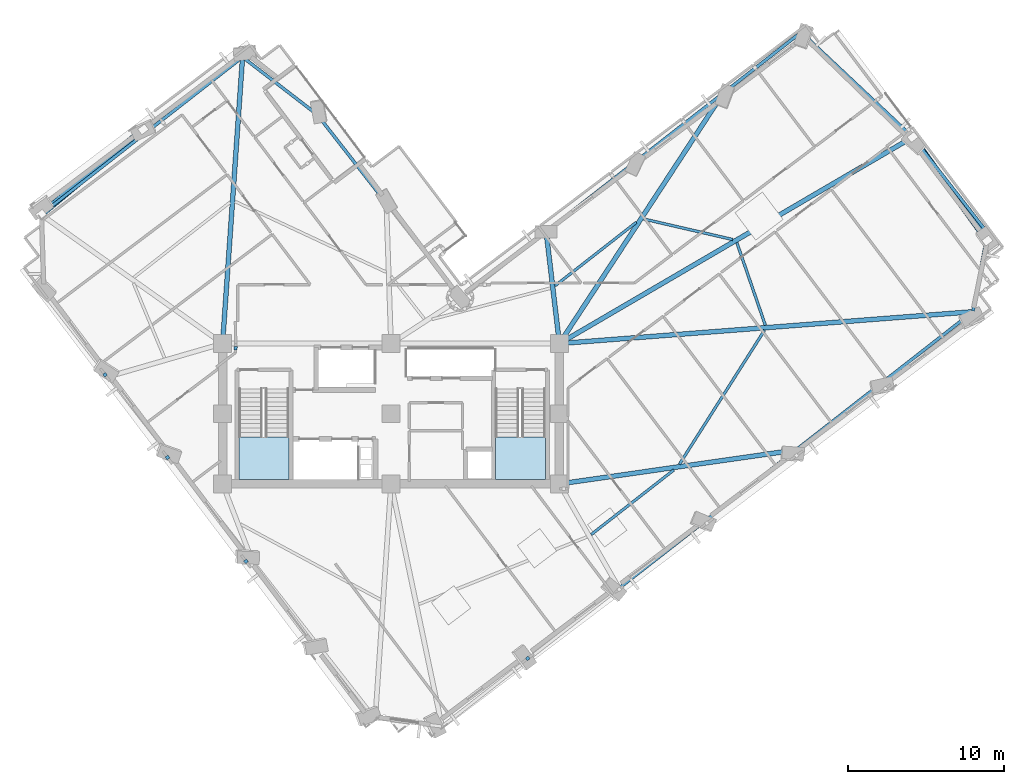
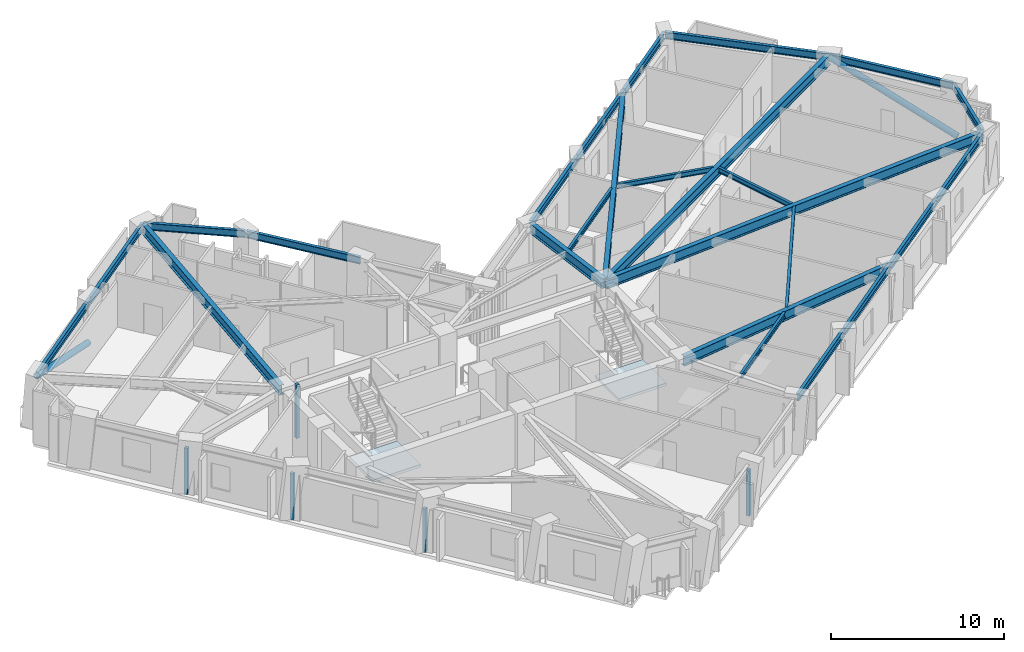
# One storey, part 2 of 15: 25 beams, 5 plates, 2 members, 2 slabs, 2 elements without a shape of their own.
"""IFC4 building model written with IfcOpenShell, lengths in metres."""

from ifc_helpers import new_model, si_unit, direction, frame, origin, origin_2d, place, context, subcontext, project, spatial, polyline, rectangle, hollow_circle, i_section, outline, extrude, material, layer, layer_set, material_profile, profile_set, type_object, element, aggregate, save


model = new_model("IFC4")

# Units and contexts
model_context = context("Model", 3, precision=1e-05, world=origin(), true_north=direction((0.0, 1.0)))
body_context = subcontext(model_context, "Body", "Model", "MODEL_VIEW")
ifc_project = project(units=[si_unit("LENGTHUNIT", "METRE"), si_unit("AREAUNIT", "SQUARE_METRE"), si_unit("VOLUMEUNIT", "CUBIC_METRE"), si_unit("PLANEANGLEUNIT", "RADIAN"), si_unit("MASSUNIT", "GRAM", prefix="KILO")], contexts=[model_context])

# Site, building, storey
site_placement = place(None, origin())
site = spatial("IfcSite", under=ifc_project, at=site_placement, CompositionType="ELEMENT")
building_placement = place(site_placement, origin())
building = spatial("IfcBuilding", under=site, at=building_placement, Name="Gaonmaruhae Medical Tower", CompositionType="ELEMENT")
storey_placement = place(building_placement, frame((0.0, 0.0, 181.800048828125)))
storey = spatial("IfcBuildingStorey", under=building, at=storey_placement, Name="L43", CompositionType="ELEMENT", Elevation=181.800048828125)

# Beams
ifc_material_1 = material(Name="Steel SM355", Category="steel")
ifc_material_profile_1 = material_profile(ifc_material_1, i_section(OverallWidth=0.175048828125, OverallDepth=0.35009765625, WebThickness=0.007080078125, FlangeThickness=0.010986328125, FilletRadius=0.012939453125, at=origin_2d()), Name="H-350x175x7x11")
ifc_profile_set_1 = profile_set([ifc_material_profile_1], Name="Steel SM355")
beam_type_1 = type_object("IfcBeamType", Name="FJ-02 Upper Zone Ward Floor Joist (H-350x175x7x11)", PredefinedType="JOIST", material=ifc_profile_set_1)
beam_1_placement = place(storey_placement, frame((37.63330078125, 4.552001953125, 3.60498046875), z_axis=(0.788003489376, 0.615670773004, 0.0), x_axis=(-0.615670773004, 0.788003489376, 0.0)))
element("IfcBeam", 1, at=beam_1_placement, inside=storey, type_object=beam_type_1, Name="L43 Secondary Floor Joist FJ02", PredefinedType="JOIST", context=body_context, shape_type="SweptSolid", body=[
    extrude(i_section(OverallWidth=0.175048828125, OverallDepth=0.35009765625, WebThickness=0.007080078125, FlangeThickness=0.010986328125, FilletRadius=0.012939453125, at=origin_2d()), origin(), (0.0, 0.0, 1.0), 6.73486328125),
])
beam_2_placement = place(storey_placement, frame((43.2919921875, 9.0595703125, 3.60498046875), z_axis=(0.536155640009, 0.844119144248, 0.0), x_axis=(-0.844119144248, 0.536155640009, 0.0)))
element("IfcBeam", 2, at=beam_2_placement, inside=storey, type_object=beam_type_1, Name="L43 Secondary Floor Joist FJ03", PredefinedType="JOIST", context=body_context, shape_type="SweptSolid", body=[
    extrude(i_section(OverallWidth=0.175048828125, OverallDepth=0.35009765625, WebThickness=0.007080078125, FlangeThickness=0.010986328125, FilletRadius=0.012939453125, at=origin_2d()), origin(), (0.0, 0.0, 1.0), 10.185302734375),
])
beam_3_placement = place(storey_placement, frame((48.803955078125, 17.972900390625, 3.60498046875), z_axis=(-0.326056499466, 0.94535028384, 0.0), x_axis=(-0.94535028384, -0.326056499466, 0.0)))
element("IfcBeam", 3, at=beam_3_placement, inside=storey, type_object=beam_type_1, Name="L43 Secondary Floor Joist FJ04", PredefinedType="JOIST", context=body_context, shape_type="SweptSolid", body=[
    extrude(i_section(OverallWidth=0.175048828125, OverallDepth=0.35009765625, WebThickness=0.007080078125, FlangeThickness=0.010986328125, FilletRadius=0.012939453125, at=origin_2d()), origin(), (0.0, 0.0, 1.0), 5.6015625),
])
beam_4_placement = place(storey_placement, frame((46.70703125, 23.46923828125, 3.60498046875), z_axis=(-0.974305298874, 0.22523140231, 0.0), x_axis=(-0.22523140231, -0.974305298874, 0.0)))
element("IfcBeam", 4, at=beam_4_placement, inside=storey, type_object=beam_type_1, Name="L43 Secondary Floor Joist FJ05", PredefinedType="JOIST", context=body_context, shape_type="SweptSolid", body=[
    extrude(i_section(OverallWidth=0.175048828125, OverallDepth=0.35009765625, WebThickness=0.007080078125, FlangeThickness=0.010986328125, FilletRadius=0.012939453125, at=origin_2d()), origin(), (0.0, 0.0, 1.0), 5.84912109375),
])
beam_5_placement = place(storey_placement, frame((40.531005859375, 24.577392578125, 3.60498046875), z_axis=(-0.78799752669, -0.615678404632, 0.0), x_axis=(0.615678404632, -0.78799752669, 0.0)))
element("IfcBeam", 5, at=beam_5_placement, inside=storey, type_object=beam_type_1, Name="L43 Secondary Floor Joist FJ06", PredefinedType="JOIST", context=body_context, shape_type="SweptSolid", body=[
    extrude(i_section(OverallWidth=0.175048828125, OverallDepth=0.35009765625, WebThickness=0.007080078125, FlangeThickness=0.010986328125, FilletRadius=0.012939453125, at=origin_2d()), origin(), (0.0, 0.0, 1.0), 6.617919921875),
])

# Members
ifc_material_2 = material(Name="Steel SM420", Category="steel")
ifc_material_profile_2 = material_profile(ifc_material_2, hollow_circle(Radius=0.203125, WallThickness=0.0126953125, at=origin_2d()), Name="CHS-406.4x12.7")
ifc_profile_set_2 = profile_set([ifc_material_profile_2], Name="Steel SM420")
member_type = type_object("IfcMemberType", Name="PB-02 Perimeter Solid-Bay Tube Brace Mid (CHS-406.4x12.7)", PredefinedType="BRACE", material=ifc_profile_set_2)
member_1_placement = place(storey_placement, frame((63.034423828125, 23.402587890625, 0.25), z_axis=(-0.54277504829, 0.752892243238, 0.372221059353), x_axis=(-0.811180330434, -0.584796093966, 0.0)))
element("IfcMember", 6, at=member_1_placement, inside=storey, type_object=member_type, Name="L43 Perimeter Tube Solid-Bay Brace E01-E02", PredefinedType="BRACE", context=body_context, shape_type="SweptSolid", body=[
    extrude(hollow_circle(Radius=0.203125, WallThickness=0.0126953125, at=origin_2d()), origin(), (0.0, 0.0, 1.0), 8.81201171875),
])
member_2_placement = place(storey_placement, frame((8.911865234375, 30.532470703125, 0.25), z_axis=(-0.71715922605, -0.597356604427, 0.358953662245), x_axis=(0.640009814271, -0.768366733817, 0.0)))
element("IfcMember", 7, at=member_2_placement, inside=storey, type_object=member_type, Name="L43 Perimeter Tube Solid-Bay Brace N02-N03", PredefinedType="BRACE", context=body_context, shape_type="SweptSolid", body=[
    extrude(hollow_circle(Radius=0.203125, WallThickness=0.0126953125, at=origin_2d()), origin(), (0.0, 0.0, 1.0), 9.1376953125),
])

# Beams
ifc_material_profile_3 = material_profile(ifc_material_2, i_section(OverallWidth=0.300048828125, OverallDepth=0.699951171875, WebThickness=0.012939453125, FlangeThickness=0.02392578125, FilletRadius=0.01806640625, at=origin_2d()), Name="H-700x300x13x24")
ifc_profile_set_3 = profile_set([ifc_material_profile_3], Name="Steel SM420")
beam_type_2 = type_object("IfcBeamType", Name="PG-03 Zone 3 Radial Floor Girder (H-700x300x13x24)", PredefinedType="BEAM", material=ifc_profile_set_3)
beam_6_placement = place(storey_placement, frame((35.6494140625, 7.80712890625, 3.429931640625), z_axis=(0.989866881985, 0.141998436436, 0.0), x_axis=(-0.141998436436, 0.989866881985, 0.0)))
element("IfcBeam", 8, at=beam_6_placement, inside=storey, type_object=beam_type_2, Name="L43 Radial Primary Girder S05", PredefinedType="BEAM", context=body_context, shape_type="SweptSolid", body=[
    extrude(i_section(OverallWidth=0.300048828125, OverallDepth=0.699951171875, WebThickness=0.012939453125, FlangeThickness=0.02392578125, FilletRadius=0.01806640625, at=origin_2d()), origin(), (0.0, 0.0, 1.0), 15.22119140625),
])
beam_7_placement = place(storey_placement, frame((35.64990234375, 16.803955078125, 3.429931640625), z_axis=(0.997049713034, 0.076758515744, 0.0), x_axis=(-0.076758515744, 0.997049713034, 0.0)))
element("IfcBeam", 9, at=beam_7_placement, inside=storey, type_object=beam_type_2, Name="L43 Radial Primary Girder S07", PredefinedType="BEAM", context=body_context, shape_type="SweptSolid", body=[
    extrude(i_section(OverallWidth=0.300048828125, OverallDepth=0.699951171875, WebThickness=0.012939453125, FlangeThickness=0.02392578125, FilletRadius=0.01806640625, at=origin_2d()), origin(), (0.0, 0.0, 1.0), 26.491455078125),
])
beam_8_placement = place(storey_placement, frame((35.64306640625, 16.8251953125, 3.429931640625), z_axis=(0.863383253463, 0.504548667265, 0.0), x_axis=(-0.504548667265, 0.863383253463, 0.0)))
element("IfcBeam", 10, at=beam_8_placement, inside=storey, type_object=beam_type_2, Name="L43 Radial Primary Girder E02", PredefinedType="BEAM", context=body_context, shape_type="SweptSolid", body=[
    extrude(i_section(OverallWidth=0.300048828125, OverallDepth=0.699951171875, WebThickness=0.012939453125, FlangeThickness=0.02392578125, FilletRadius=0.01806640625, at=origin_2d()), origin(), (0.0, 0.0, 1.0), 26.1357421875),
])
beam_9_placement = place(storey_placement, frame((35.62744140625, 16.841796875, 3.429931640625), z_axis=(0.547276261312, 0.836952025988, 0.0), x_axis=(-0.836952025988, 0.547276261312, 0.0)))
element("IfcBeam", 11, at=beam_9_placement, inside=storey, type_object=beam_type_2, Name="L43 Radial Primary Girder EN01", PredefinedType="BEAM", context=body_context, shape_type="SweptSolid", body=[
    extrude(i_section(OverallWidth=0.300048828125, OverallDepth=0.699951171875, WebThickness=0.012939453125, FlangeThickness=0.02392578125, FilletRadius=0.01806640625, at=origin_2d()), origin(), (0.0, 0.0, 1.0), 19.074462890625),
])
beam_10_placement = place(storey_placement, frame((35.593994140625, 16.849609375, 3.429931640625), z_axis=(-0.118012808994, 0.993012072894, 0.0), x_axis=(-0.993012072894, -0.118012808994, 0.0)))
element("IfcBeam", 12, at=beam_10_placement, inside=storey, type_object=beam_type_2, Name="L43 Radial Primary Girder EN03", PredefinedType="BEAM", context=body_context, shape_type="SweptSolid", body=[
    extrude(i_section(OverallWidth=0.300048828125, OverallDepth=0.699951171875, WebThickness=0.012939453125, FlangeThickness=0.02392578125, FilletRadius=0.01806640625, at=origin_2d()), origin(), (0.0, 0.0, 1.0), 7.133056640625),
])
beam_11_placement = place(storey_placement, frame((14.00341796875, 16.849853515625, 3.429931640625), z_axis=(0.069608134634, 0.997574412058, 0.0), x_axis=(-0.997574412058, 0.069608134634, 0.0)))
element("IfcBeam", 13, at=beam_11_placement, inside=storey, type_object=beam_type_2, Name="L43 Radial Primary Girder N01", PredefinedType="BEAM", context=body_context, shape_type="SweptSolid", body=[
    extrude(i_section(OverallWidth=0.300048828125, OverallDepth=0.699951171875, WebThickness=0.012939453125, FlangeThickness=0.02392578125, FilletRadius=0.01806640625, at=origin_2d()), origin(), (0.0, 0.0, 1.0), 18.3154296875),
])
ifc_material_profile_4 = material_profile(ifc_material_1, i_section(OverallWidth=0.199951171875, OverallDepth=0.5, WebThickness=0.010009765625, FlangeThickness=0.01611328125, FilletRadius=0.012939453125, at=origin_2d()), Name="H-500x200x10x16")
ifc_profile_set_4 = profile_set([ifc_material_profile_4], Name="Steel SM355")
beam_type_3 = type_object("IfcBeamType", Name="SP-02 Upper Perimeter Spandrel Beam (H-500x200x10x16)", PredefinedType="SPANDREL", material=ifc_profile_set_4)
for number, where, z_axis, x_axis, name in (
    (14, (39.449951171875, 1.134765625, 3.530029296875), (0.788006178546, 0.615667331091, 0.0), (-0.615667331091, 0.788006178546, 0.0), "L43 Perimeter Spandrel Beam S03-S04"),
    (15, (45.12353515625, 5.567626953125, 3.530029296875), (0.788022814132, 0.615646038246, 0.0), (-0.615646038246, 0.788022814132, 0.0), "L43 Perimeter Spandrel Beam S04-S05"),
):
    element("IfcBeam", number, at=place(storey_placement, frame(where, z_axis=z_axis, x_axis=x_axis)), inside=storey, type_object=beam_type_3, Name=name, PredefinedType="SPANDREL", context=body_context, shape_type="SweptSolid", body=[
        extrude(i_section(OverallWidth=0.199951171875, OverallDepth=0.5, WebThickness=0.010009765625, FlangeThickness=0.01611328125, FilletRadius=0.012939453125, at=origin_2d()), origin(), (0.0, 0.0, 1.0), 7.119873046875),
    ])
beam_12_placement = place(storey_placement, frame((50.797119140625, 10.000244140625, 3.530029296875), z_axis=(0.788019175313, 0.615650695881, 0.0), x_axis=(-0.615650695881, 0.788019175313, 0.0)))
element("IfcBeam", 16, at=beam_12_placement, inside=storey, type_object=beam_type_3, Name="L43 Perimeter Spandrel Beam S05-S06", PredefinedType="SPANDREL", context=body_context, shape_type="SweptSolid", body=[
    extrude(i_section(OverallWidth=0.199951171875, OverallDepth=0.5, WebThickness=0.010009765625, FlangeThickness=0.01611328125, FilletRadius=0.012939453125, at=origin_2d()), origin(), (0.0, 0.0, 1.0), 7.1201171875),
])
beam_13_placement = place(storey_placement, frame((56.470947265625, 14.43310546875, 3.530029296875), z_axis=(0.788006178546, 0.615667331091, 0.0), x_axis=(-0.615667331091, 0.788006178546, 0.0)))
element("IfcBeam", 17, at=beam_13_placement, inside=storey, type_object=beam_type_3, Name="L43 Perimeter Spandrel Beam S06-S07", PredefinedType="SPANDREL", context=body_context, shape_type="SweptSolid", body=[
    extrude(i_section(OverallWidth=0.199951171875, OverallDepth=0.5, WebThickness=0.010009765625, FlangeThickness=0.01611328125, FilletRadius=0.012939453125, at=origin_2d()), origin(), (0.0, 0.0, 1.0), 7.119873046875),
])
beam_14_placement = place(storey_placement, frame((62.120361328125, 18.880615234375, 3.530029296875), z_axis=(0.183145601023, 0.983085799321, 0.0), x_axis=(-0.983085799321, 0.183145601023, 0.0)))
element("IfcBeam", 18, at=beam_14_placement, inside=storey, type_object=beam_type_3, Name="L43 Perimeter Spandrel Beam S07-E01", PredefinedType="SPANDREL", context=body_context, shape_type="SweptSolid", body=[
    extrude(i_section(OverallWidth=0.199951171875, OverallDepth=0.5, WebThickness=0.010009765625, FlangeThickness=0.01611328125, FilletRadius=0.012939453125, at=origin_2d()), origin(), (0.0, 0.0, 1.0), 5.05615234375),
])
beam_15_placement = place(storey_placement, frame((63.029052734375, 23.92236328125, 3.530029296875), z_axis=(-0.615675340448, 0.78799992079, 0.0), x_axis=(-0.78799992079, -0.615675340448, 0.0)))
element("IfcBeam", 19, at=beam_15_placement, inside=storey, type_object=beam_type_3, Name="L43 Perimeter Spandrel Beam E01-E02", PredefinedType="SPANDREL", context=body_context, shape_type="SweptSolid", body=[
    extrude(i_section(OverallWidth=0.199951171875, OverallDepth=0.5, WebThickness=0.010009765625, FlangeThickness=0.01611328125, FilletRadius=0.012939453125, at=origin_2d()), origin(), (0.0, 0.0, 1.0), 7.719970703125),
])
beam_16_placement = place(storey_placement, frame((58.222412109375, 30.064697265625, 3.530029296875), z_axis=(-0.728867412457, 0.684654872953, 0.0), x_axis=(-0.684654872953, -0.728867412457, 0.0)))
element("IfcBeam", 20, at=beam_16_placement, inside=storey, type_object=beam_type_3, Name="L43 Perimeter Spandrel Beam E02-E03", PredefinedType="SPANDREL", context=body_context, shape_type="SweptSolid", body=[
    extrude(i_section(OverallWidth=0.199951171875, OverallDepth=0.5, WebThickness=0.010009765625, FlangeThickness=0.01611328125, FilletRadius=0.012939453125, at=origin_2d()), origin(), (0.0, 0.0, 1.0), 9.7353515625),
])
beam_17_placement = place(storey_placement, frame((51.066162109375, 36.73291015625, 3.530029296875), z_axis=(-0.788004302756, -0.615669731949, 0.0), x_axis=(0.615669731949, -0.788004302756, 0.0)))
element("IfcBeam", 21, at=beam_17_placement, inside=storey, type_object=beam_type_3, Name="L43 Perimeter Spandrel Beam E03-EN01", PredefinedType="SPANDREL", context=body_context, shape_type="SweptSolid", body=[
    extrude(i_section(OverallWidth=0.199951171875, OverallDepth=0.5, WebThickness=0.010009765625, FlangeThickness=0.01611328125, FilletRadius=0.012939453125, at=origin_2d()), origin(), (0.0, 0.0, 1.0), 6.270263671875),
])
for number, where, z_axis, x_axis, name in (
    (22, (46.062255859375, 32.8232421875, 3.530029296875), (-0.788022814132, -0.615646038246, 0.0), (0.615646038246, -0.788022814132, 0.0), "L43 Perimeter Spandrel Beam EN01-EN02"),
    (23, (40.388427734375, 28.390625, 3.530029296875), (-0.788006178546, -0.615667331091, 0.0), (0.615667331091, -0.788006178546, 0.0), "L43 Perimeter Spandrel Beam EN02-EN03"),
    (24, (24.4736328125, 25.84228515625, 3.510009765625), (-0.615667331091, 0.788006178546, 0.0), (-0.788006178546, -0.615667331091, 0.0), "L43 Perimeter Spandrel Beam NE01-NE02"),
):
    element("IfcBeam", number, at=place(storey_placement, frame(where, z_axis=z_axis, x_axis=x_axis)), inside=storey, type_object=beam_type_3, Name=name, PredefinedType="SPANDREL", context=body_context, shape_type="SweptSolid", body=[
        extrude(i_section(OverallWidth=0.199951171875, OverallDepth=0.5, WebThickness=0.010009765625, FlangeThickness=0.01611328125, FilletRadius=0.012939453125, at=origin_2d()), origin(), (0.0, 0.0, 1.0), 7.119873046875),
    ])
beam_18_placement = place(storey_placement, frame((20.033935546875, 31.5087890625, 3.510009765625), z_axis=(-0.792110469819, 0.61037775484, 0.0), x_axis=(-0.61037775484, -0.792110469819, 0.0)))
element("IfcBeam", 25, at=beam_18_placement, inside=storey, type_object=beam_type_3, Name="L43 Perimeter Spandrel Beam NE02-N01", PredefinedType="SPANDREL", context=body_context, shape_type="SweptSolid", body=[
    extrude(i_section(OverallWidth=0.199951171875, OverallDepth=0.5, WebThickness=0.010009765625, FlangeThickness=0.01611328125, FilletRadius=0.012939453125, at=origin_2d()), origin(), (0.0, 0.0, 1.0), 5.959228515625),
])
beam_19_placement = place(storey_placement, frame((15.25048828125, 35.14599609375, 3.530029296875), z_axis=(-0.788021182875, -0.615648126237, 0.0), x_axis=(0.615648126237, -0.788021182875, 0.0)))
element("IfcBeam", 26, at=beam_19_placement, inside=storey, type_object=beam_type_3, Name="L43 Perimeter Spandrel Beam N01-N02", PredefinedType="SPANDREL", context=body_context, shape_type="SweptSolid", body=[
    extrude(i_section(OverallWidth=0.199951171875, OverallDepth=0.5, WebThickness=0.010009765625, FlangeThickness=0.01611328125, FilletRadius=0.012939453125, at=origin_2d()), origin(), (0.0, 0.0, 1.0), 8.119873046875),
])
beam_20_placement = place(storey_placement, frame((8.78857421875, 30.09765625, 3.530029296875), z_axis=(-0.788009786467, -0.615662713206, 0.0), x_axis=(0.615662713206, -0.788009786467, 0.0)))
element("IfcBeam", 27, at=beam_20_placement, inside=storey, type_object=beam_type_3, Name="L43 Perimeter Spandrel Beam N02-N03", PredefinedType="SPANDREL", context=body_context, shape_type="SweptSolid", body=[
    extrude(i_section(OverallWidth=0.199951171875, OverallDepth=0.5, WebThickness=0.010009765625, FlangeThickness=0.01611328125, FilletRadius=0.012939453125, at=origin_2d()), origin(), (0.0, 0.0, 1.0), 8.11962890625),
])

# Plates
ifc_material_3 = material(Name="Anodised aluminium 6063-T6", Category="aluminium")
ifc_layer_1 = layer(ifc_material_3, 0.011962890625)
ifc_layer_set_1 = layer_set([ifc_layer_1], Name="Anodised aluminium 6063-T6")
plate_type = type_object("IfcPlateType", Name="PP-01 Interior Partition Corner Stiffener Plate", PredefinedType="SHEET", material=ifc_layer_set_1)
plate_1_placement = place(storey_placement, frame((33.56494140625, -3.39306640625, 0.0), z_axis=(0.0, 0.0, 1.0), x_axis=(-0.797983816068, -0.602678877425, 0.0)))
element("IfcPlate", 28, at=plate_1_placement, inside=storey, type_object=plate_type, Name="L43 Partition Corner Stiffener Plate PLT-L43-JGP-PW010", PredefinedType="SHEET", context=body_context, shape_type="SweptSolid", body=[
    extrude(rectangle(XDim=0.219970703125, YDim=0.219970703125, at=origin_2d()), origin(), (0.0, 0.0, 1.0), 3.264892578125),
])
plate_2_placement = place(storey_placement, frame((15.5009765625, 2.83349609375, 0.0), z_axis=(0.0, 0.0, 1.0), x_axis=(-0.602428153678, 0.798173113839, 0.0)))
element("IfcPlate", 29, at=plate_2_placement, inside=storey, type_object=plate_type, Name="L43 Partition Corner Stiffener Plate PLT-L43-JGP-PW038", PredefinedType="SHEET", context=body_context, shape_type="SweptSolid", body=[
    extrude(rectangle(XDim=0.219970703125, YDim=0.219970703125, at=origin_2d()), origin(), (0.0, 0.0, 1.0), 3.06494140625),
])
plate_3_placement = place(storey_placement, frame((10.470458984375, 9.4970703125, 0.0), z_axis=(0.0, 0.0, 1.0), x_axis=(-0.6019404651, 0.798540967312, 0.0)))
element("IfcPlate", 30, at=plate_3_placement, inside=storey, type_object=plate_type, Name="L43 Partition Corner Stiffener Plate PLT-L43-JGP-PW042", PredefinedType="SHEET", context=body_context, shape_type="SweptSolid", body=[
    extrude(rectangle(XDim=0.219970703125, YDim=0.219970703125, at=origin_2d()), origin(), (0.0, 0.0, 1.0), 3.264892578125),
])
plate_4_placement = place(storey_placement, frame((14.83056640625, 16.505615234375, 0.0), z_axis=(0.0, 0.0, 1.0), x_axis=(-0.035632078999, -0.999364975845, 0.0)))
element("IfcPlate", 31, at=plate_4_placement, inside=storey, type_object=plate_type, Name="L43 Partition Corner Stiffener Plate PLT-L43-JGP-PW046", PredefinedType="SHEET", context=body_context, shape_type="SweptSolid", body=[
    extrude(rectangle(XDim=0.219970703125, YDim=0.219970703125, at=origin_2d()), origin(), (0.0, 0.0, 1.0), 3.780029296875),
])
plate_5_placement = place(storey_placement, frame((6.464111328125, 14.803955078125, 0.0), z_axis=(0.0, 0.0, 1.0), x_axis=(-0.602609237905, 0.798036406683, 0.0)))
element("IfcPlate", 32, at=plate_5_placement, inside=storey, type_object=plate_type, Name="L43 Partition Corner Stiffener Plate PLT-L43-JGP-PW048", PredefinedType="SHEET", context=body_context, shape_type="SweptSolid", body=[
    extrude(rectangle(XDim=0.219970703125, YDim=0.219970703125, at=origin_2d()), origin(), (0.0, 0.0, 1.0), 3.264892578125),
])

# Stair, slab
ifc_material_4 = material(Name="Concrete C40/50", Category="concrete")
stair_type = type_object("IfcStairType", Name="ST-T1 Primary Core Escape Dogleg Stair", PredefinedType="TWO_QUARTER_TURN_STAIR", material=ifc_material_4)
stair_1_placement = place(storey_placement, origin())
stair_1 = element("IfcStair", 33, at=stair_1_placement, inside=storey, type_object=stair_type, Name="L43 Protected Escape Stair ST-01", PredefinedType="TWO_QUARTER_TURN_STAIR")
ifc_layer_2 = layer(ifc_material_4, 0.199951171875)
ifc_layer_set_2 = layer_set([ifc_layer_2], Name="Concrete C40/50")
slab_type = type_object("IfcSlabType", Name="SL-200 Stair & Ramp Intermediate Concrete Landing", PredefinedType="LANDING", material=ifc_layer_set_2)
slab_1_placement = place(storey_placement, frame((0.0, 0.0, 1.800048828125)))
slab_1 = element("IfcSlab", 34, at=slab_1_placement, type_object=slab_type, Name="ST-01 landing 1", PredefinedType="LANDING", context=body_context, shape_type="SweptSolid", body=[
    extrude(outline(polyline([(15.050048828125, 10.820068359375), (15.050048828125, 8.0791015625), (18.25, 8.0791015625), (18.25, 10.820068359375), (15.050048828125, 10.820068359375)])), origin(), (0.0, 0.0, 1.0), 0.199951171875),
])
aggregate(stair_1, [slab_1])

stair_2_placement = place(storey_placement, origin())
stair_2 = element("IfcStair", 35, at=stair_2_placement, inside=storey, type_object=stair_type, Name="L43 Protected Escape Stair ST-02", PredefinedType="TWO_QUARTER_TURN_STAIR")
slab_2_placement = place(storey_placement, frame((0.0, 0.0, 1.800048828125)))
slab_2 = element("IfcSlab", 36, at=slab_2_placement, type_object=slab_type, Name="ST-02 landing 1", PredefinedType="LANDING", context=body_context, shape_type="SweptSolid", body=[
    extrude(outline(polyline([(31.5, 10.820068359375), (31.5, 8.0791015625), (34.699951171875, 8.0791015625), (34.699951171875, 10.820068359375), (31.5, 10.820068359375)])), origin(), (0.0, 0.0, 1.0), 0.199951171875),
])
aggregate(stair_2, [slab_2])

save(model, "model.ifc")
